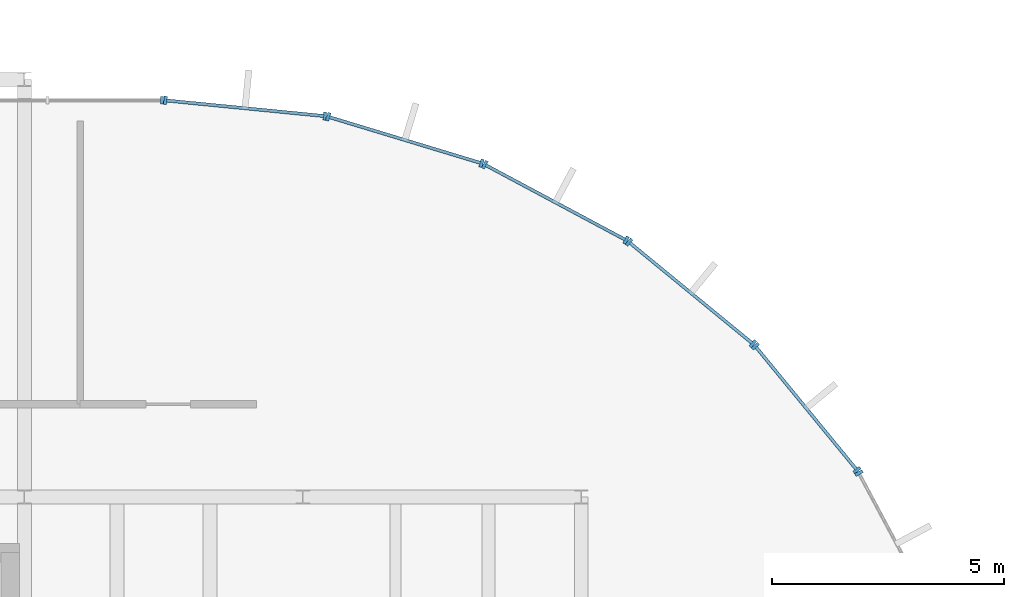
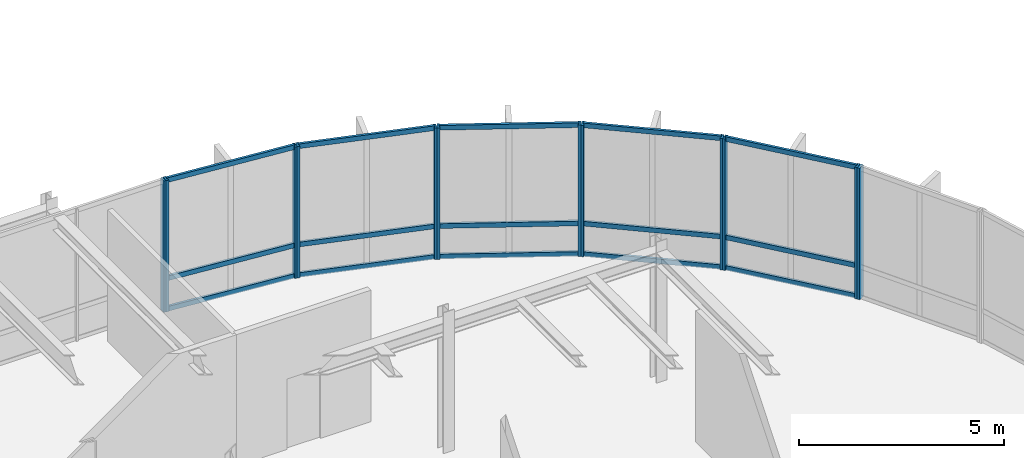
# One storey, part 14 of 27: 27 members, 7 elements without a shape of their own.
"""IFC4 building model written with IfcOpenShell, lengths in metres."""

from ifc_helpers import new_model, si_unit, direction, frame, origin, origin_2d, place, context, subcontext, project, spatial, rectangle, extrude, material, layer, layer_set, material_profile, profile_set, type_object, element, aggregate, save


model = new_model("IFC4")

# Units and contexts
model_context = context("Model", 3, precision=1e-05, world=origin(), true_north=direction((0.0, 1.0)))
body_context = subcontext(model_context, "Body", "Model", "MODEL_VIEW")
ifc_project = project(units=[si_unit("LENGTHUNIT", "METRE"), si_unit("AREAUNIT", "SQUARE_METRE"), si_unit("VOLUMEUNIT", "CUBIC_METRE"), si_unit("PLANEANGLEUNIT", "RADIAN"), si_unit("MASSUNIT", "GRAM", prefix="KILO")], contexts=[model_context])

# Site, building, storey
site_placement = place(None, origin())
site = spatial("IfcSite", under=ifc_project, at=site_placement, CompositionType="ELEMENT")
building_placement = place(site_placement, origin())
building = spatial("IfcBuilding", under=site, at=building_placement, Name="Montealbar Specialist Clinic", CompositionType="ELEMENT")
storey_placement = place(building_placement, frame((0.0, 0.0, 18.0)))
storey = spatial("IfcBuildingStorey", under=building, at=storey_placement, Name="L04", CompositionType="ELEMENT", Elevation=18.0)

# Curtain wall, member
ifc_material_1 = material(Name="Low-E double glazing", Category="glass")
ifc_layer_1 = layer(ifc_material_1, 0.199951171875, Name="Low-E double glazing", Category="glass")
ifc_layer_set_1 = layer_set([ifc_layer_1], Name="Low-E double glazing")
curtain_wall_type_1 = type_object("IfcCurtainWallType", Name="CW-TYPE-30", PredefinedType="NOTDEFINED", material=ifc_layer_set_1)
curtain_wall_1_placement = place(storey_placement, origin())
curtain_wall_1 = element("IfcCurtainWall", 1, at=curtain_wall_1_placement, inside=storey, type_object=curtain_wall_type_1, Name="Unitised Curtain Wall CW-L04-920-446-1020-446-180", PredefinedType="NOTDEFINED")
ifc_material_2 = material(Name="Anodised aluminium EN AW-6063", Category="aluminium")
ifc_material_profile_1 = material_profile(ifc_material_2, rectangle(XDim=0.06005859375, YDim=0.159912109375, at=origin_2d()), Name="ALU 60x160", Category="aluminium")
ifc_profile_set_1 = profile_set([ifc_material_profile_1], Name="Anodised aluminium EN AW-6063")
member_type_1 = type_object("IfcMemberType", Name="CW-MUL-160", PredefinedType="MULLION", material=ifc_profile_set_1)
member_1_placement = place(storey_placement, frame((101.965087890625, 44.550048828125, 0.0), z_axis=(0.0, 0.0, 1.0), x_axis=(1.0, 0.0, 0.0)))
member_1 = element("IfcMember", 2, at=member_1_placement, type_object=member_type_1, Name="Curtain Wall Mullion CW-L04-920-446-1020-446-180-04", PredefinedType="MULLION", context=body_context, shape_type="SweptSolid", body=[
    extrude(rectangle(XDim=0.06005859375, YDim=0.159912109375, at=origin_2d()), origin(), (0.0, 0.0, 1.0), 3.919921875),
])
aggregate(curtain_wall_1, [member_1])

# Curtain wall, members
ifc_layer_2 = layer(ifc_material_1, 0.199951171875, Name="Low-E double glazing", Category="glass")
ifc_layer_set_2 = layer_set([ifc_layer_2], Name="Low-E double glazing")
curtain_wall_type_2 = type_object("IfcCurtainWallType", Name="CW-TYPE-29", PredefinedType="NOTDEFINED", material=ifc_layer_set_2)
curtain_wall_2_placement = place(storey_placement, origin())
curtain_wall_2 = element("IfcCurtainWall", 3, at=curtain_wall_2_placement, inside=storey, type_object=curtain_wall_type_2, Name="Unitised Curtain Wall CW-L04-1020-446-1055-442-180", PredefinedType="NOTDEFINED")
ifc_material_profile_2 = material_profile(ifc_material_2, rectangle(XDim=0.070068359375, YDim=0.179931640625, at=origin_2d()), Name="ALU 70x180", Category="aluminium")
ifc_profile_set_2 = profile_set([ifc_material_profile_2], Name="Anodised aluminium EN AW-6063")
member_type_2 = type_object("IfcMemberType", Name="CW-MUL-200", PredefinedType="MULLION", material=ifc_profile_set_2)
member_2_placement = place(storey_placement, frame((102.0400390625, 44.5458984375, 0.0), z_axis=(0.0, 0.0, 1.0), x_axis=(0.995182012183, -0.098044697094, 0.0)))
member_2 = element("IfcMember", 4, at=member_2_placement, type_object=member_type_2, Name="Curtain Wall Mullion CW-L04-1020-446-1055-442-180-00", PredefinedType="MULLION", context=body_context, shape_type="SweptSolid", body=[
    extrude(rectangle(XDim=0.070068359375, YDim=0.179931640625, at=origin_2d()), origin(), (0.0, 0.0, 1.0), 3.919921875),
])
member_3_placement = place(storey_placement, frame((105.471923828125, 44.2080078125, 0.0), z_axis=(0.0, 0.0, 1.0), x_axis=(0.995182012183, -0.098044697094, 0.0)))
member_3 = element("IfcMember", 5, at=member_3_placement, type_object=member_type_2, Name="Curtain Wall Mullion CW-L04-1020-446-1055-442-180-01", PredefinedType="MULLION", context=body_context, shape_type="SweptSolid", body=[
    extrude(rectangle(XDim=0.070068359375, YDim=0.179931640625, at=origin_2d()), origin(), (0.0, 0.0, 1.0), 3.919921875),
])

curtain_wall_3_placement = place(storey_placement, origin())
curtain_wall_3 = element("IfcCurtainWall", 6, at=curtain_wall_3_placement, inside=storey, type_object=curtain_wall_type_2, Name="Unitised Curtain Wall CW-L04-1055-442-1089-432-180", PredefinedType="NOTDEFINED")
member_4_placement = place(storey_placement, frame((105.550048828125, 44.19189453125, 0.0), z_axis=(0.0, 0.0, 1.0), x_axis=(0.956948083701, -0.290259134399, 0.0)))
member_4 = element("IfcMember", 7, at=member_4_placement, type_object=member_type_2, Name="Curtain Wall Mullion CW-L04-1055-442-1089-432-180-00", PredefinedType="MULLION", context=body_context, shape_type="SweptSolid", body=[
    extrude(rectangle(XDim=0.070068359375, YDim=0.179931640625, at=origin_2d()), origin(), (0.0, 0.0, 1.0), 3.919921875),
])
member_5_placement = place(storey_placement, frame((108.85009765625, 43.19189453125, 0.0), z_axis=(0.0, 0.0, 1.0), x_axis=(0.956948083701, -0.290259134399, 0.0)))
member_5 = element("IfcMember", 8, at=member_5_placement, type_object=member_type_2, Name="Curtain Wall Mullion CW-L04-1055-442-1089-432-180-01", PredefinedType="MULLION", context=body_context, shape_type="SweptSolid", body=[
    extrude(rectangle(XDim=0.070068359375, YDim=0.179931640625, at=origin_2d()), origin(), (0.0, 0.0, 1.0), 3.919921875),
])

curtain_wall_4_placement = place(storey_placement, origin())
curtain_wall_4 = element("IfcCurtainWall", 9, at=curtain_wall_4_placement, inside=storey, type_object=curtain_wall_type_2, Name="Unitised Curtain Wall CW-L04-1089-432-1120-415-180", PredefinedType="NOTDEFINED")
member_6_placement = place(storey_placement, frame((108.923095703125, 43.160888671875, 0.0), z_axis=(0.0, 0.0, 1.0), x_axis=(0.881850411644, -0.471529268958, 0.0)))
member_6 = element("IfcMember", 10, at=member_6_placement, type_object=member_type_2, Name="Curtain Wall Mullion CW-L04-1089-432-1120-415-180-00", PredefinedType="MULLION", context=body_context, shape_type="SweptSolid", body=[
    extrude(rectangle(XDim=0.070068359375, YDim=0.179931640625, at=origin_2d()), origin(), (0.0, 0.0, 1.0), 3.919921875),
])
member_7_placement = place(storey_placement, frame((111.965087890625, 41.534912109375, 0.0), z_axis=(0.0, 0.0, 1.0), x_axis=(0.881850411644, -0.471529268958, 0.0)))
member_7 = element("IfcMember", 11, at=member_7_placement, type_object=member_type_2, Name="Curtain Wall Mullion CW-L04-1089-432-1120-415-180-01", PredefinedType="MULLION", context=body_context, shape_type="SweptSolid", body=[
    extrude(rectangle(XDim=0.070068359375, YDim=0.179931640625, at=origin_2d()), origin(), (0.0, 0.0, 1.0), 3.919921875),
])

curtain_wall_5_placement = place(storey_placement, origin())
curtain_wall_5 = element("IfcCurtainWall", 12, at=curtain_wall_5_placement, inside=storey, type_object=curtain_wall_type_2, Name="Unitised Curtain Wall CW-L04-1120-415-1147-393-180", PredefinedType="NOTDEFINED")
member_8_placement = place(storey_placement, frame((112.031005859375, 41.490966796875, 0.0), z_axis=(0.0, 0.0, 1.0), x_axis=(0.773123255923, -0.634255808922, 0.0)))
member_8 = element("IfcMember", 13, at=member_8_placement, type_object=member_type_2, Name="Curtain Wall Mullion CW-L04-1120-415-1147-393-180-00", PredefinedType="MULLION", context=body_context, shape_type="SweptSolid", body=[
    extrude(rectangle(XDim=0.070068359375, YDim=0.179931640625, at=origin_2d()), origin(), (0.0, 0.0, 1.0), 3.919921875),
])
member_9_placement = place(storey_placement, frame((114.697021484375, 39.302978515625, 0.0), z_axis=(0.0, 0.0, 1.0), x_axis=(0.773123255923, -0.634255808922, 0.0)))
member_9 = element("IfcMember", 14, at=member_9_placement, type_object=member_type_2, Name="Curtain Wall Mullion CW-L04-1120-415-1147-393-180-01", PredefinedType="MULLION", context=body_context, shape_type="SweptSolid", body=[
    extrude(rectangle(XDim=0.070068359375, YDim=0.179931640625, at=origin_2d()), origin(), (0.0, 0.0, 1.0), 3.919921875),
])

curtain_wall_6_placement = place(storey_placement, origin())
curtain_wall_6 = element("IfcCurtainWall", 15, at=curtain_wall_6_placement, inside=storey, type_object=curtain_wall_type_2, Name="Unitised Curtain Wall CW-L04-1147-393-1170-366-180", PredefinedType="NOTDEFINED")
member_10_placement = place(storey_placement, frame((114.7529296875, 39.2470703125, 0.0), z_axis=(0.0, 0.0, 1.0), x_axis=(0.634255808922, -0.773123255923, 0.0)))
member_10 = element("IfcMember", 16, at=member_10_placement, type_object=member_type_2, Name="Curtain Wall Mullion CW-L04-1147-393-1170-366-180-00", PredefinedType="MULLION", context=body_context, shape_type="SweptSolid", body=[
    extrude(rectangle(XDim=0.070068359375, YDim=0.179931640625, at=origin_2d()), origin(), (0.0, 0.0, 1.0), 3.919921875),
])
member_11_placement = place(storey_placement, frame((116.94091796875, 36.5810546875, 0.0), z_axis=(0.0, 0.0, 1.0), x_axis=(0.634255808922, -0.773123255923, 0.0)))
member_11 = element("IfcMember", 17, at=member_11_placement, type_object=member_type_2, Name="Curtain Wall Mullion CW-L04-1147-393-1170-366-180-01", PredefinedType="MULLION", context=body_context, shape_type="SweptSolid", body=[
    extrude(rectangle(XDim=0.070068359375, YDim=0.179931640625, at=origin_2d()), origin(), (0.0, 0.0, 1.0), 3.919921875),
])

# Curtain wall, member
curtain_wall_7_placement = place(storey_placement, origin())
curtain_wall_7 = element("IfcCurtainWall", 18, at=curtain_wall_7_placement, inside=storey, type_object=curtain_wall_type_2, Name="Unitised Curtain Wall CW-L04-1170-366-1186-334-180", PredefinedType="NOTDEFINED")
member_12_placement = place(storey_placement, frame((116.985107421875, 36.514892578125, 0.0), z_axis=(0.0, 0.0, 1.0), x_axis=(0.471529268958, -0.881850411644, 0.0)))
member_12 = element("IfcMember", 19, at=member_12_placement, type_object=member_type_2, Name="Curtain Wall Mullion CW-L04-1170-366-1186-334-180-00", PredefinedType="MULLION", context=body_context, shape_type="SweptSolid", body=[
    extrude(rectangle(XDim=0.070068359375, YDim=0.179931640625, at=origin_2d()), origin(), (0.0, 0.0, 1.0), 3.919921875),
])
aggregate(curtain_wall_7, [member_12])

# Member
ifc_material_3 = material(Name="Powder-coated aluminium", Category="aluminium")
ifc_material_profile_3 = material_profile(ifc_material_3, rectangle(XDim=0.070068359375, YDim=0.139892578125, at=origin_2d()), Name="ALU 70x140", Category="aluminium")
ifc_profile_set_3 = profile_set([ifc_material_profile_3], Name="Powder-coated aluminium")
member_type_3 = type_object("IfcMemberType", Name="CW-TRN-140", PredefinedType="USERDEFINED", material=ifc_profile_set_3)
member_13_placement = place(storey_placement, frame((102.050048828125, 44.544921875, 0.0400390625), z_axis=(0.995187625394, -0.097987704654, 0.0), x_axis=(0.097987704654, 0.995187625394, 0.0)))
member_13 = element("IfcMember", 20, at=member_13_placement, type_object=member_type_3, Name="Curtain Wall Transom CW-L04-1020-446-1055-442-180-00", ObjectType="TRANSOM", PredefinedType="USERDEFINED", context=body_context, shape_type="SweptSolid", body=[
    extrude(rectangle(XDim=0.070068359375, YDim=0.139892578125, at=origin_2d()), origin(), (0.0, 0.0, 1.0), 3.428466796875),
])

member_14_placement = place(storey_placement, frame((102.050048828125, 44.544921875, 0.949951171875), z_axis=(0.995187625394, -0.097987704654, 0.0), x_axis=(0.097987704654, 0.995187625394, 0.0)))
member_14 = element("IfcMember", 21, at=member_14_placement, type_object=member_type_3, Name="Curtain Wall Transom CW-L04-1020-446-1055-442-180-01", ObjectType="TRANSOM", PredefinedType="USERDEFINED", context=body_context, shape_type="SweptSolid", body=[
    extrude(rectangle(XDim=0.070068359375, YDim=0.139892578125, at=origin_2d()), origin(), (0.0, 0.0, 1.0), 3.428466796875),
])

member_15_placement = place(storey_placement, frame((102.050048828125, 44.544921875, 3.8798828125), z_axis=(0.995187625394, -0.097987704654, 0.0), x_axis=(0.097987704654, 0.995187625394, 0.0)))
member_15 = element("IfcMember", 22, at=member_15_placement, type_object=member_type_3, Name="Curtain Wall Transom CW-L04-1020-446-1055-442-180-02", ObjectType="TRANSOM", PredefinedType="USERDEFINED", context=body_context, shape_type="SweptSolid", body=[
    extrude(rectangle(XDim=0.070068359375, YDim=0.139892578125, at=origin_2d()), origin(), (0.0, 0.0, 1.0), 3.428466796875),
])

aggregate(curtain_wall_2, [member_2, member_3, member_13, member_14, member_15])

member_16_placement = place(storey_placement, frame((105.56005859375, 44.18896484375, 0.0400390625), z_axis=(0.957028598092, -0.289993555849, 0.0), x_axis=(0.289993555849, 0.957028598092, 0.0)))
member_16 = element("IfcMember", 23, at=member_16_placement, type_object=member_type_3, Name="Curtain Wall Transom CW-L04-1055-442-1089-432-180-00", ObjectType="TRANSOM", PredefinedType="USERDEFINED", context=body_context, shape_type="SweptSolid", body=[
    extrude(rectangle(XDim=0.070068359375, YDim=0.139892578125, at=origin_2d()), origin(), (0.0, 0.0, 1.0), 3.42724609375),
])

member_17_placement = place(storey_placement, frame((105.56005859375, 44.18896484375, 0.949951171875), z_axis=(0.957028598092, -0.289993555849, 0.0), x_axis=(0.289993555849, 0.957028598092, 0.0)))
member_17 = element("IfcMember", 24, at=member_17_placement, type_object=member_type_3, Name="Curtain Wall Transom CW-L04-1055-442-1089-432-180-01", ObjectType="TRANSOM", PredefinedType="USERDEFINED", context=body_context, shape_type="SweptSolid", body=[
    extrude(rectangle(XDim=0.070068359375, YDim=0.139892578125, at=origin_2d()), origin(), (0.0, 0.0, 1.0), 3.42724609375),
])

member_18_placement = place(storey_placement, frame((105.56005859375, 44.18896484375, 3.8798828125), z_axis=(0.957028598092, -0.289993555849, 0.0), x_axis=(0.289993555849, 0.957028598092, 0.0)))
member_18 = element("IfcMember", 25, at=member_18_placement, type_object=member_type_3, Name="Curtain Wall Transom CW-L04-1055-442-1089-432-180-02", ObjectType="TRANSOM", PredefinedType="USERDEFINED", context=body_context, shape_type="SweptSolid", body=[
    extrude(rectangle(XDim=0.070068359375, YDim=0.139892578125, at=origin_2d()), origin(), (0.0, 0.0, 1.0), 3.42724609375),
])

aggregate(curtain_wall_3, [member_4, member_5, member_16, member_17, member_18])

member_19_placement = place(storey_placement, frame((108.931884765625, 43.156005859375, 0.0400390625), z_axis=(0.881980147273, -0.471286558069, 0.0), x_axis=(0.471286558069, 0.881980147273, 0.0)))
member_19 = element("IfcMember", 26, at=member_19_placement, type_object=member_type_3, Name="Curtain Wall Transom CW-L04-1089-432-1120-415-180-00", ObjectType="TRANSOM", PredefinedType="USERDEFINED", context=body_context, shape_type="SweptSolid", body=[
    extrude(rectangle(XDim=0.070068359375, YDim=0.139892578125, at=origin_2d()), origin(), (0.0, 0.0, 1.0), 3.428955078125),
])

member_20_placement = place(storey_placement, frame((108.931884765625, 43.156005859375, 0.949951171875), z_axis=(0.881980147273, -0.471286558069, 0.0), x_axis=(0.471286558069, 0.881980147273, 0.0)))
member_20 = element("IfcMember", 27, at=member_20_placement, type_object=member_type_3, Name="Curtain Wall Transom CW-L04-1089-432-1120-415-180-01", ObjectType="TRANSOM", PredefinedType="USERDEFINED", context=body_context, shape_type="SweptSolid", body=[
    extrude(rectangle(XDim=0.070068359375, YDim=0.139892578125, at=origin_2d()), origin(), (0.0, 0.0, 1.0), 3.428955078125),
])

member_21_placement = place(storey_placement, frame((108.931884765625, 43.156005859375, 3.8798828125), z_axis=(0.881980147273, -0.471286558069, 0.0), x_axis=(0.471286558069, 0.881980147273, 0.0)))
member_21 = element("IfcMember", 28, at=member_21_placement, type_object=member_type_3, Name="Curtain Wall Transom CW-L04-1089-432-1120-415-180-02", ObjectType="TRANSOM", PredefinedType="USERDEFINED", context=body_context, shape_type="SweptSolid", body=[
    extrude(rectangle(XDim=0.070068359375, YDim=0.139892578125, at=origin_2d()), origin(), (0.0, 0.0, 1.0), 3.428955078125),
])

aggregate(curtain_wall_4, [member_6, member_7, member_19, member_20, member_21])

member_22_placement = place(storey_placement, frame((112.0390625, 41.48388671875, 0.0400390625), z_axis=(0.773137851948, -0.634238016745, 0.0), x_axis=(0.634238016745, 0.773137851948, 0.0)))
member_22 = element("IfcMember", 29, at=member_22_placement, type_object=member_type_3, Name="Curtain Wall Transom CW-L04-1120-415-1147-393-180-00", ObjectType="TRANSOM", PredefinedType="USERDEFINED", context=body_context, shape_type="SweptSolid", body=[
    extrude(rectangle(XDim=0.070068359375, YDim=0.139892578125, at=origin_2d()), origin(), (0.0, 0.0, 1.0), 3.427490234375),
])

member_23_placement = place(storey_placement, frame((112.0390625, 41.48388671875, 0.949951171875), z_axis=(0.773137851948, -0.634238016745, 0.0), x_axis=(0.634238016745, 0.773137851948, 0.0)))
member_23 = element("IfcMember", 30, at=member_23_placement, type_object=member_type_3, Name="Curtain Wall Transom CW-L04-1120-415-1147-393-180-01", ObjectType="TRANSOM", PredefinedType="USERDEFINED", context=body_context, shape_type="SweptSolid", body=[
    extrude(rectangle(XDim=0.070068359375, YDim=0.139892578125, at=origin_2d()), origin(), (0.0, 0.0, 1.0), 3.427490234375),
])

member_24_placement = place(storey_placement, frame((112.0390625, 41.48388671875, 3.8798828125), z_axis=(0.773137851948, -0.634238016745, 0.0), x_axis=(0.634238016745, 0.773137851948, 0.0)))
member_24 = element("IfcMember", 31, at=member_24_placement, type_object=member_type_3, Name="Curtain Wall Transom CW-L04-1120-415-1147-393-180-02", ObjectType="TRANSOM", PredefinedType="USERDEFINED", context=body_context, shape_type="SweptSolid", body=[
    extrude(rectangle(XDim=0.070068359375, YDim=0.139892578125, at=origin_2d()), origin(), (0.0, 0.0, 1.0), 3.427490234375),
])

aggregate(curtain_wall_5, [member_8, member_9, member_22, member_23, member_24])

member_25_placement = place(storey_placement, frame((114.760009765625, 39.239013671875, 0.0400390625), z_axis=(0.634280591441, -0.773102924144, 0.0), x_axis=(0.773102924144, 0.634280591441, 0.0)))
member_25 = element("IfcMember", 32, at=member_25_placement, type_object=member_type_3, Name="Curtain Wall Transom CW-L04-1147-393-1170-366-180-00", ObjectType="TRANSOM", PredefinedType="USERDEFINED", context=body_context, shape_type="SweptSolid", body=[
    extrude(rectangle(XDim=0.070068359375, YDim=0.139892578125, at=origin_2d()), origin(), (0.0, 0.0, 1.0), 3.427734375),
])

member_26_placement = place(storey_placement, frame((114.760009765625, 39.239013671875, 0.949951171875), z_axis=(0.634280591441, -0.773102924144, 0.0), x_axis=(0.773102924144, 0.634280591441, 0.0)))
member_26 = element("IfcMember", 33, at=member_26_placement, type_object=member_type_3, Name="Curtain Wall Transom CW-L04-1147-393-1170-366-180-01", ObjectType="TRANSOM", PredefinedType="USERDEFINED", context=body_context, shape_type="SweptSolid", body=[
    extrude(rectangle(XDim=0.070068359375, YDim=0.139892578125, at=origin_2d()), origin(), (0.0, 0.0, 1.0), 3.427734375),
])

member_27_placement = place(storey_placement, frame((114.760009765625, 39.239013671875, 3.8798828125), z_axis=(0.634280591441, -0.773102924144, 0.0), x_axis=(0.773102924144, 0.634280591441, 0.0)))
member_27 = element("IfcMember", 34, at=member_27_placement, type_object=member_type_3, Name="Curtain Wall Transom CW-L04-1147-393-1170-366-180-02", ObjectType="TRANSOM", PredefinedType="USERDEFINED", context=body_context, shape_type="SweptSolid", body=[
    extrude(rectangle(XDim=0.070068359375, YDim=0.139892578125, at=origin_2d()), origin(), (0.0, 0.0, 1.0), 3.427734375),
])

aggregate(curtain_wall_6, [member_10, member_11, member_25, member_26, member_27])

save(model, "model.ifc")
